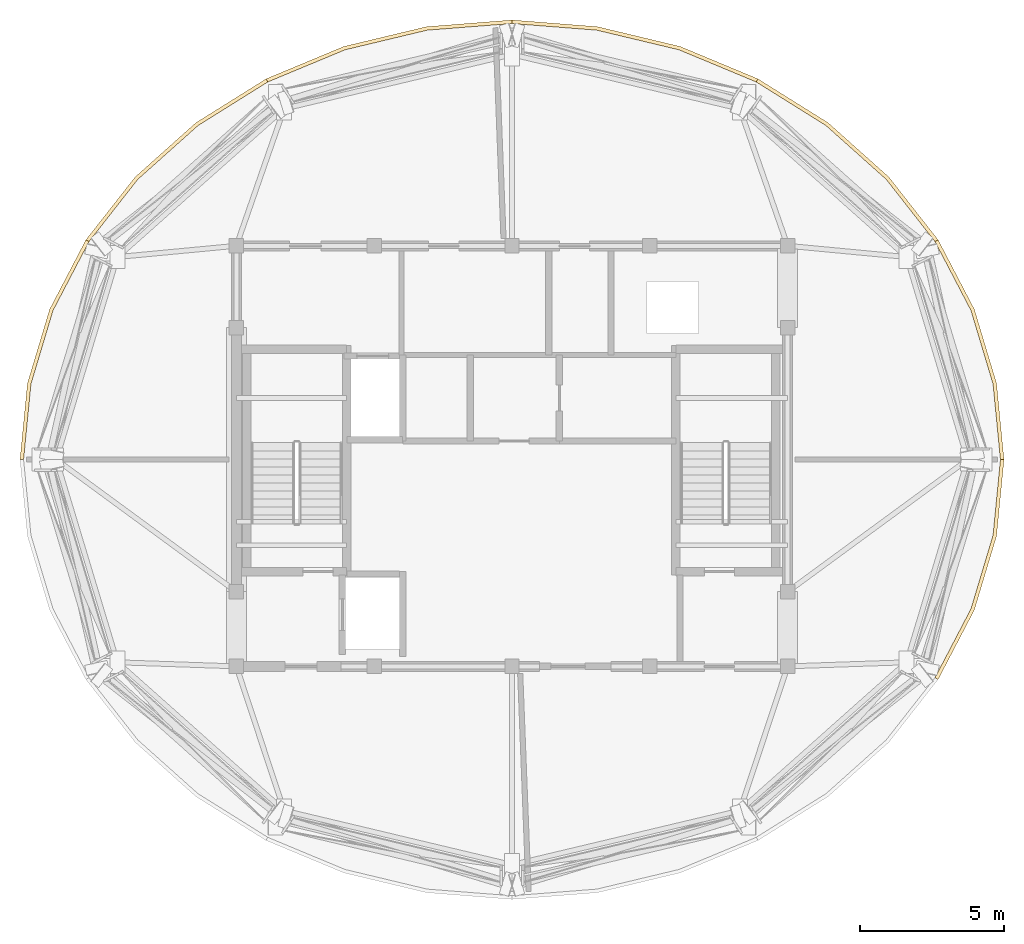
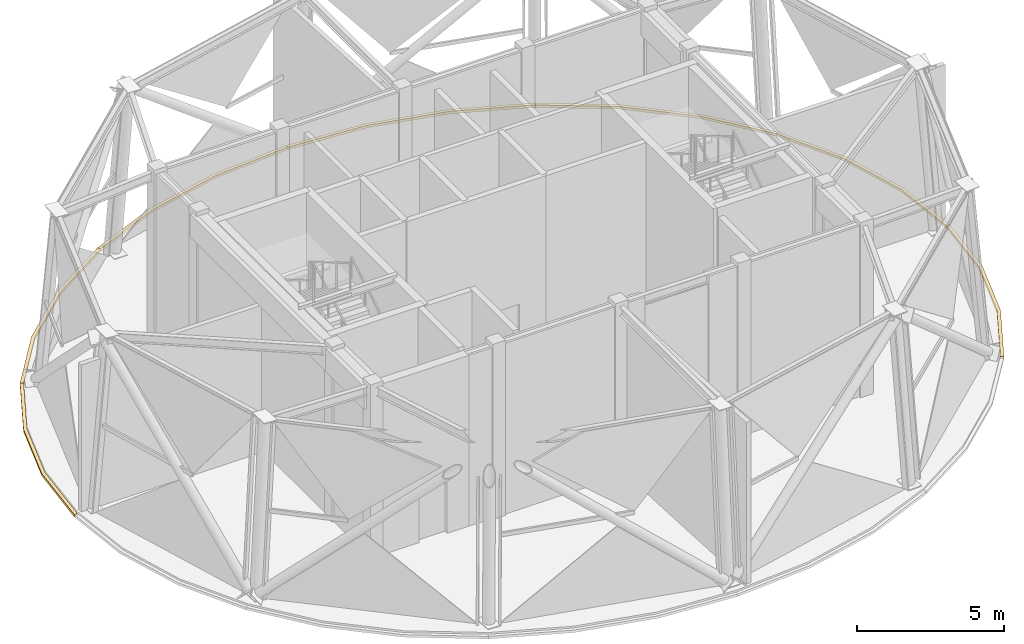
# One storey, part 9 of 9: 7 coverings.
"""IFC4 building model written with IfcOpenShell, lengths in metres."""

from ifc_helpers import new_model, si_unit, direction, frame, origin, place, context, subcontext, project, spatial, polyline, outline, extrude, material, layer, layer_set, type_object, element, save


model = new_model("IFC4")

# Units and contexts
model_context = context("Model", 3, precision=1e-05, world=origin(), true_north=direction((0.0, 1.0)))
body_context = subcontext(model_context, "Body", "Model", "MODEL_VIEW")
ifc_project = project(units=[si_unit("LENGTHUNIT", "METRE"), si_unit("AREAUNIT", "SQUARE_METRE"), si_unit("VOLUMEUNIT", "CUBIC_METRE"), si_unit("PLANEANGLEUNIT", "RADIAN"), si_unit("MASSUNIT", "GRAM", prefix="KILO")], contexts=[model_context])

# Site, building, storey
site_placement = place(None, origin())
site = spatial("IfcSite", under=ifc_project, at=site_placement, CompositionType="ELEMENT")
building_placement = place(site_placement, origin())
building = spatial("IfcBuilding", under=site, at=building_placement, Name="Vantalir Tower", CompositionType="ELEMENT")
storey_placement = place(building_placement, frame((0.0, 0.0, 311.75)))
storey = spatial("IfcBuildingStorey", under=building, at=storey_placement, Name="L77", CompositionType="ELEMENT", Elevation=311.75)

# Coverings
ifc_material = material(Name="Anodised champagne aluminium sill fascia", Category="aluminium")
ifc_layer = layer(ifc_material, 0.125)
ifc_layer_set = layer_set([ifc_layer], Name="Anodised champagne aluminium sill fascia")
covering_type = type_object("IfcCoveringType", Name="COV-SLAB-FASCIA-125", PredefinedType="CLADDING", material=ifc_layer_set)
covering_1_placement = place(storey_placement, frame((0.0, 0.0, -0.179931640625)))
element("IfcCovering", 1, at=covering_1_placement, inside=storey, type_object=covering_type, Name="L77 Perimeter Slab-Edge Sill Fascia 01", PredefinedType="CLADDING", context=body_context, shape_type="SweptSolid", body=[
    extrude(outline(polyline([(48.637939453125, 25.0), (48.3779296875, 27.658935546875), (47.60400390625, 30.238037109375), (46.342041015625, 32.656982421875), (46.23388671875, 32.594970703125), (47.487060546875, 30.195068359375), (48.2548828125, 27.637939453125), (48.512939453125, 25.0), (48.637939453125, 25.0)])), origin(), (0.0, 0.0, 1.0), 0.10498046875),
])
covering_2_placement = place(storey_placement, frame((0.0, 0.0, -0.179931640625)))
element("IfcCovering", 2, at=covering_2_placement, inside=storey, type_object=covering_type, Name="L77 Perimeter Slab-Edge Sill Fascia 02", PredefinedType="CLADDING", context=body_context, shape_type="SweptSolid", body=[
    extrude(outline(polyline([(46.342041015625, 32.656982421875), (44.6279296875, 34.843994140625), (42.51611328125, 36.73193359375), (40.069091796875, 38.262939453125), (40.007080078125, 38.155029296875), (42.43603515625, 36.635986328125), (44.532958984375, 34.763916015625), (46.23388671875, 32.594970703125), (46.342041015625, 32.656982421875)])), origin(), (0.0, 0.0, 1.0), 0.10498046875),
])
covering_3_placement = place(storey_placement, frame((0.0, 0.0, -0.179931640625)))
element("IfcCovering", 3, at=covering_3_placement, inside=storey, type_object=covering_type, Name="L77 Perimeter Slab-Edge Sill Fascia 03", PredefinedType="CLADDING", context=body_context, shape_type="SweptSolid", body=[
    extrude(outline(polyline([(40.069091796875, 38.262939453125), (37.362060546875, 39.39111328125), (34.47607421875, 40.08203125), (31.5, 40.31494140625), (31.5, 40.18994140625), (34.4541015625, 39.958984375), (37.319091796875, 39.27392578125), (40.007080078125, 38.155029296875), (40.069091796875, 38.262939453125)])), origin(), (0.0, 0.0, 1.0), 0.10498046875),
])
covering_4_placement = place(storey_placement, frame((0.0, 0.0, -0.179931640625)))
element("IfcCovering", 4, at=covering_4_placement, inside=storey, type_object=covering_type, Name="L77 Perimeter Slab-Edge Sill Fascia 04", PredefinedType="CLADDING", context=body_context, shape_type="SweptSolid", body=[
    extrude(outline(polyline([(31.5, 40.31494140625), (28.52392578125, 40.08203125), (25.637939453125, 39.39111328125), (22.930908203125, 38.262939453125), (22.993896484375, 38.155029296875), (25.680908203125, 39.27392578125), (28.5458984375, 39.958984375), (31.5, 40.18994140625), (31.5, 40.31494140625)])), origin(), (0.0, 0.0, 1.0), 0.10498046875),
])
covering_5_placement = place(storey_placement, frame((0.0, 0.0, -0.179931640625)))
element("IfcCovering", 5, at=covering_5_placement, inside=storey, type_object=covering_type, Name="L77 Perimeter Slab-Edge Sill Fascia 05", PredefinedType="CLADDING", context=body_context, shape_type="SweptSolid", body=[
    extrude(outline(polyline([(22.930908203125, 38.262939453125), (20.48388671875, 36.73193359375), (18.3720703125, 34.843994140625), (16.657958984375, 32.656982421875), (16.76611328125, 32.594970703125), (18.467041015625, 34.763916015625), (20.56396484375, 36.635986328125), (22.993896484375, 38.155029296875), (22.930908203125, 38.262939453125)])), origin(), (0.0, 0.0, 1.0), 0.10498046875),
])
covering_6_placement = place(storey_placement, frame((0.0, 0.0, -0.179931640625)))
element("IfcCovering", 6, at=covering_6_placement, inside=storey, type_object=covering_type, Name="L77 Perimeter Slab-Edge Sill Fascia 06", PredefinedType="CLADDING", context=body_context, shape_type="SweptSolid", body=[
    extrude(outline(polyline([(16.657958984375, 32.656982421875), (15.39599609375, 30.238037109375), (14.6220703125, 27.658935546875), (14.362060546875, 25.0), (14.487060546875, 25.0), (14.7451171875, 27.637939453125), (15.512939453125, 30.195068359375), (16.76611328125, 32.594970703125), (16.657958984375, 32.656982421875)])), origin(), (0.0, 0.0, 1.0), 0.10498046875),
])
covering_7_placement = place(storey_placement, frame((0.0, 0.0, -0.179931640625)))
element("IfcCovering", 7, at=covering_7_placement, inside=storey, type_object=covering_type, Name="L77 Perimeter Slab-Edge Sill Fascia 12", PredefinedType="CLADDING", context=body_context, shape_type="SweptSolid", body=[
    extrude(outline(polyline([(46.342041015625, 17.342041015625), (47.60400390625, 19.761962890625), (48.3779296875, 22.341064453125), (48.637939453125, 25.0), (48.512939453125, 25.0), (48.2548828125, 22.362060546875), (47.487060546875, 19.804931640625), (46.23388671875, 17.405029296875), (46.342041015625, 17.342041015625)])), origin(), (0.0, 0.0, 1.0), 0.10498046875),
])

save(model, "model.ifc")
